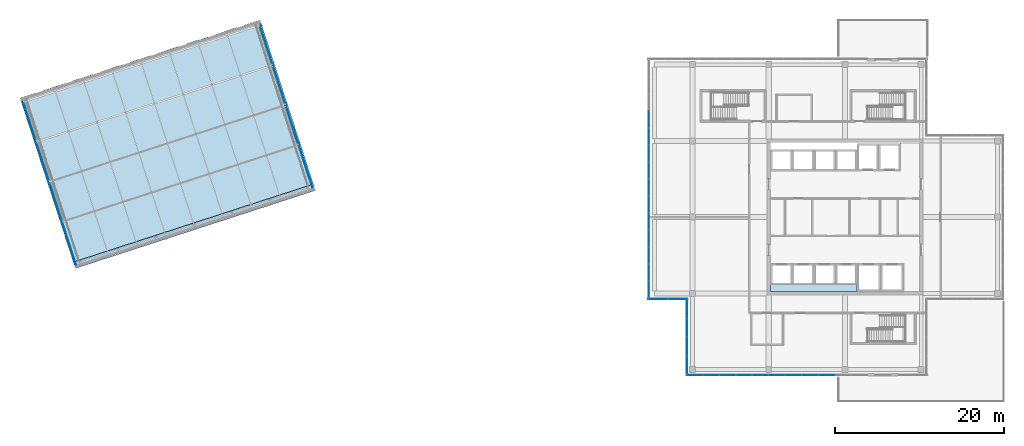
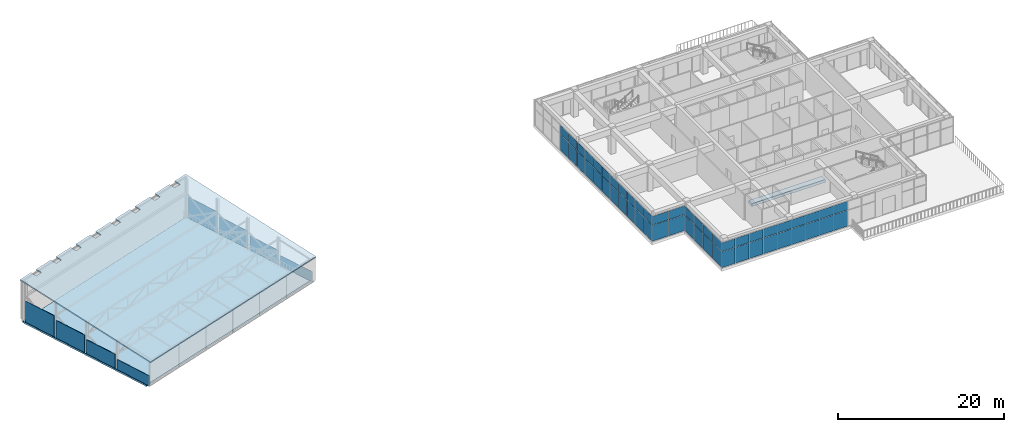
# One storey, part 36 of 49: 60 plates, 3 slabs, 4 elements without a shape of their own.
"""IFC4 building model written with IfcOpenShell, lengths in metres."""

from ifc_helpers import new_model, si_unit, direction, frame, origin, origin_2d, place, context, subcontext, project, spatial, polyline, rectangle, outline, extrude, material, layer, layer_set, type_object, element, aggregate, save


model = new_model("IFC4")

# Units and contexts
model_context = context("Model", 3, precision=1e-05, world=origin(), true_north=direction((0.0, 1.0)))
body_context = subcontext(model_context, "Body", "Model", "MODEL_VIEW")
ifc_project = project(units=[si_unit("LENGTHUNIT", "METRE"), si_unit("AREAUNIT", "SQUARE_METRE"), si_unit("VOLUMEUNIT", "CUBIC_METRE"), si_unit("PLANEANGLEUNIT", "RADIAN"), si_unit("MASSUNIT", "GRAM", prefix="KILO")], contexts=[model_context])

# Site, building, storey
site_placement = place(None, origin())
site = spatial("IfcSite", under=ifc_project, at=site_placement, CompositionType="ELEMENT")
building_placement = place(site_placement, origin())
building = spatial("IfcBuilding", under=site, at=building_placement, Name="Tuart Plaza Theatre", CompositionType="ELEMENT")
storey_placement = place(building_placement, frame((0.0, 0.0, 29.5)))
storey = spatial("IfcBuildingStorey", under=building, at=storey_placement, Name="L07", CompositionType="ELEMENT", Elevation=29.5)

# Curtain wall, plates
ifc_material_1 = material(Name="Aluminium and glass", Category="aluminium")
ifc_layer_1 = layer(ifc_material_1, 0.10009765625)
ifc_layer_set_1 = layer_set([ifc_layer_1], Name="CURTAIN WALL 2000 module")
curtain_wall_type = type_object("IfcCurtainWallType", Name="CURTAIN WALL 2000 module", PredefinedType="NOTDEFINED", material=ifc_layer_set_1)
curtain_wall_1_placement = place(storey_placement, origin())
curtain_wall_1 = element("IfcCurtainWall", 1, at=curtain_wall_1_placement, inside=storey, type_object=curtain_wall_type, Name="CW88", PredefinedType="NOTDEFINED")
ifc_material_2 = material(Name="Glass", Category="glass")
ifc_layer_2 = layer(ifc_material_2, 0.028076171875)
ifc_layer_set_2 = layer_set([ifc_layer_2], Name="CURTAIN PANEL double glazed 28")
plate_type_1 = type_object("IfcPlateType", Name="CURTAIN PANEL double glazed 28", PredefinedType="CURTAIN_PANEL", material=ifc_layer_set_2)
plate_1_placement = place(storey_placement, frame((114.237548828125, 55.35009765625, 0.0498046875), z_axis=(0.0, 0.0, 1.0), x_axis=(1.0, 0.0, 0.0)))
plate_1 = element("IfcPlate", 2, at=plate_1_placement, type_object=plate_type_1, Name="CW88 panel 1.1", PredefinedType="CURTAIN_PANEL", context=body_context, shape_type="SweptSolid", body=[
    extrude(rectangle(XDim=1.875, YDim=0.028076171875, at=origin_2d()), origin(), (0.0, 0.0, 1.0), 2.324951171875),
])
plate_2_placement = place(storey_placement, frame((114.237548828125, 55.35009765625, 2.425048828125), z_axis=(0.0, 0.0, 1.0), x_axis=(1.0, 0.0, 0.0)))
plate_2 = element("IfcPlate", 3, at=plate_2_placement, type_object=plate_type_1, Name="CW88 panel 1.2", PredefinedType="CURTAIN_PANEL", context=body_context, shape_type="SweptSolid", body=[
    extrude(rectangle(XDim=1.875, YDim=0.028076171875, at=origin_2d()), origin(), (0.0, 0.0, 1.0), 1.27490234375),
])
plate_3_placement = place(storey_placement, frame((116.175048828125, 55.35009765625, 0.0498046875), z_axis=(0.0, 0.0, 1.0), x_axis=(1.0, 0.0, 0.0)))
plate_3 = element("IfcPlate", 4, at=plate_3_placement, type_object=plate_type_1, Name="CW88 panel 2.1", PredefinedType="CURTAIN_PANEL", context=body_context, shape_type="SweptSolid", body=[
    extrude(rectangle(XDim=1.89990234375, YDim=0.028076171875, at=origin_2d()), origin(), (0.0, 0.0, 1.0), 2.324951171875),
])
plate_4_placement = place(storey_placement, frame((116.175048828125, 55.35009765625, 2.425048828125), z_axis=(0.0, 0.0, 1.0), x_axis=(1.0, 0.0, 0.0)))
plate_4 = element("IfcPlate", 5, at=plate_4_placement, type_object=plate_type_1, Name="CW88 panel 2.2", PredefinedType="CURTAIN_PANEL", context=body_context, shape_type="SweptSolid", body=[
    extrude(rectangle(XDim=1.89990234375, YDim=0.028076171875, at=origin_2d()), origin(), (0.0, 0.0, 1.0), 1.27490234375),
])
plate_5_placement = place(storey_placement, frame((118.125, 55.35009765625, 0.0498046875), z_axis=(0.0, 0.0, 1.0), x_axis=(1.0, 0.0, 0.0)))
plate_5 = element("IfcPlate", 6, at=plate_5_placement, type_object=plate_type_1, Name="CW88 panel 3.1", PredefinedType="CURTAIN_PANEL", context=body_context, shape_type="SweptSolid", body=[
    extrude(rectangle(XDim=1.89990234375, YDim=0.028076171875, at=origin_2d()), origin(), (0.0, 0.0, 1.0), 2.324951171875),
])
plate_6_placement = place(storey_placement, frame((118.125, 55.35009765625, 2.425048828125), z_axis=(0.0, 0.0, 1.0), x_axis=(1.0, 0.0, 0.0)))
plate_6 = element("IfcPlate", 7, at=plate_6_placement, type_object=plate_type_1, Name="CW88 panel 3.2", PredefinedType="CURTAIN_PANEL", context=body_context, shape_type="SweptSolid", body=[
    extrude(rectangle(XDim=1.89990234375, YDim=0.028076171875, at=origin_2d()), origin(), (0.0, 0.0, 1.0), 1.27490234375),
])
plate_7_placement = place(storey_placement, frame((120.074951171875, 55.35009765625, 0.0498046875), z_axis=(0.0, 0.0, 1.0), x_axis=(1.0, 0.0, 0.0)))
plate_7 = element("IfcPlate", 8, at=plate_7_placement, type_object=plate_type_1, Name="CW88 panel 4.1", PredefinedType="CURTAIN_PANEL", context=body_context, shape_type="SweptSolid", body=[
    extrude(rectangle(XDim=1.89990234375, YDim=0.028076171875, at=origin_2d()), origin(), (0.0, 0.0, 1.0), 2.324951171875),
])
plate_8_placement = place(storey_placement, frame((120.074951171875, 55.35009765625, 2.425048828125), z_axis=(0.0, 0.0, 1.0), x_axis=(1.0, 0.0, 0.0)))
plate_8 = element("IfcPlate", 9, at=plate_8_placement, type_object=plate_type_1, Name="CW88 panel 4.2", PredefinedType="CURTAIN_PANEL", context=body_context, shape_type="SweptSolid", body=[
    extrude(rectangle(XDim=1.89990234375, YDim=0.028076171875, at=origin_2d()), origin(), (0.0, 0.0, 1.0), 1.27490234375),
])
plate_9_placement = place(storey_placement, frame((122.02490234375, 55.35009765625, 0.0498046875), z_axis=(0.0, 0.0, 1.0), x_axis=(1.0, 0.0, 0.0)))
plate_9 = element("IfcPlate", 10, at=plate_9_placement, type_object=plate_type_1, Name="CW88 panel 5.1", PredefinedType="CURTAIN_PANEL", context=body_context, shape_type="SweptSolid", body=[
    extrude(rectangle(XDim=1.89990234375, YDim=0.028076171875, at=origin_2d()), origin(), (0.0, 0.0, 1.0), 2.324951171875),
])
plate_10_placement = place(storey_placement, frame((122.02490234375, 55.35009765625, 2.425048828125), z_axis=(0.0, 0.0, 1.0), x_axis=(1.0, 0.0, 0.0)))
plate_10 = element("IfcPlate", 11, at=plate_10_placement, type_object=plate_type_1, Name="CW88 panel 5.2", PredefinedType="CURTAIN_PANEL", context=body_context, shape_type="SweptSolid", body=[
    extrude(rectangle(XDim=1.89990234375, YDim=0.028076171875, at=origin_2d()), origin(), (0.0, 0.0, 1.0), 1.27490234375),
])
plate_11_placement = place(storey_placement, frame((123.97509765625, 55.35009765625, 0.0498046875), z_axis=(0.0, 0.0, 1.0), x_axis=(1.0, 0.0, 0.0)))
plate_11 = element("IfcPlate", 12, at=plate_11_placement, type_object=plate_type_1, Name="CW88 panel 6.1", PredefinedType="CURTAIN_PANEL", context=body_context, shape_type="SweptSolid", body=[
    extrude(rectangle(XDim=1.89990234375, YDim=0.028076171875, at=origin_2d()), origin(), (0.0, 0.0, 1.0), 2.324951171875),
])
plate_12_placement = place(storey_placement, frame((123.97509765625, 55.35009765625, 2.425048828125), z_axis=(0.0, 0.0, 1.0), x_axis=(1.0, 0.0, 0.0)))
plate_12 = element("IfcPlate", 13, at=plate_12_placement, type_object=plate_type_1, Name="CW88 panel 6.2", PredefinedType="CURTAIN_PANEL", context=body_context, shape_type="SweptSolid", body=[
    extrude(rectangle(XDim=1.89990234375, YDim=0.028076171875, at=origin_2d()), origin(), (0.0, 0.0, 1.0), 1.27490234375),
])
plate_13_placement = place(storey_placement, frame((125.925048828125, 55.35009765625, 0.0498046875), z_axis=(0.0, 0.0, 1.0), x_axis=(1.0, 0.0, 0.0)))
plate_13 = element("IfcPlate", 14, at=plate_13_placement, type_object=plate_type_1, Name="CW88 panel 7.1", PredefinedType="CURTAIN_PANEL", context=body_context, shape_type="SweptSolid", body=[
    extrude(rectangle(XDim=1.89990234375, YDim=0.028076171875, at=origin_2d()), origin(), (0.0, 0.0, 1.0), 2.324951171875),
])
plate_14_placement = place(storey_placement, frame((125.925048828125, 55.35009765625, 2.425048828125), z_axis=(0.0, 0.0, 1.0), x_axis=(1.0, 0.0, 0.0)))
plate_14 = element("IfcPlate", 15, at=plate_14_placement, type_object=plate_type_1, Name="CW88 panel 7.2", PredefinedType="CURTAIN_PANEL", context=body_context, shape_type="SweptSolid", body=[
    extrude(rectangle(XDim=1.89990234375, YDim=0.028076171875, at=origin_2d()), origin(), (0.0, 0.0, 1.0), 1.27490234375),
])
plate_15_placement = place(storey_placement, frame((127.875, 55.35009765625, 0.0498046875), z_axis=(0.0, 0.0, 1.0), x_axis=(1.0, 0.0, 0.0)))
plate_15 = element("IfcPlate", 16, at=plate_15_placement, type_object=plate_type_1, Name="CW88 panel 8.1", PredefinedType="CURTAIN_PANEL", context=body_context, shape_type="SweptSolid", body=[
    extrude(rectangle(XDim=1.89990234375, YDim=0.028076171875, at=origin_2d()), origin(), (0.0, 0.0, 1.0), 2.324951171875),
])
plate_16_placement = place(storey_placement, frame((127.875, 55.35009765625, 2.425048828125), z_axis=(0.0, 0.0, 1.0), x_axis=(1.0, 0.0, 0.0)))
plate_16 = element("IfcPlate", 17, at=plate_16_placement, type_object=plate_type_1, Name="CW88 panel 8.2", PredefinedType="CURTAIN_PANEL", context=body_context, shape_type="SweptSolid", body=[
    extrude(rectangle(XDim=1.89990234375, YDim=0.028076171875, at=origin_2d()), origin(), (0.0, 0.0, 1.0), 1.27490234375),
])
plate_17_placement = place(storey_placement, frame((129.824951171875, 55.35009765625, 0.0498046875), z_axis=(0.0, 0.0, 1.0), x_axis=(1.0, 0.0, 0.0)))
plate_17 = element("IfcPlate", 18, at=plate_17_placement, type_object=plate_type_1, Name="CW88 panel 9.1", PredefinedType="CURTAIN_PANEL", context=body_context, shape_type="SweptSolid", body=[
    extrude(rectangle(XDim=1.89990234375, YDim=0.028076171875, at=origin_2d()), origin(), (0.0, 0.0, 1.0), 2.324951171875),
])
plate_18_placement = place(storey_placement, frame((129.824951171875, 55.35009765625, 2.425048828125), z_axis=(0.0, 0.0, 1.0), x_axis=(1.0, 0.0, 0.0)))
plate_18 = element("IfcPlate", 19, at=plate_18_placement, type_object=plate_type_1, Name="CW88 panel 9.2", PredefinedType="CURTAIN_PANEL", context=body_context, shape_type="SweptSolid", body=[
    extrude(rectangle(XDim=1.89990234375, YDim=0.028076171875, at=origin_2d()), origin(), (0.0, 0.0, 1.0), 1.27490234375),
])
aggregate(curtain_wall_1, [plate_1, plate_2, plate_3, plate_4, plate_5, plate_6, plate_7, plate_8, plate_9, plate_10, plate_11, plate_12, plate_13, plate_14, plate_15, plate_16, plate_17, plate_18])

curtain_wall_2_placement = place(storey_placement, origin())
curtain_wall_2 = element("IfcCurtainWall", 20, at=curtain_wall_2_placement, inside=storey, type_object=curtain_wall_type, Name="CW97", PredefinedType="NOTDEFINED")
plate_19_placement = place(storey_placement, frame((108.85009765625, 85.52490234375, 0.0498046875), z_axis=(0.0, 0.0, 1.0), x_axis=(0.0, -1.0, 0.0)))
plate_19 = element("IfcPlate", 21, at=plate_19_placement, type_object=plate_type_1, Name="CW97 panel 4.1", PredefinedType="CURTAIN_PANEL", context=body_context, shape_type="SweptSolid", body=[
    extrude(rectangle(XDim=1.95703125, YDim=0.028076171875, at=origin_2d()), origin(), (0.0, 0.0, 1.0), 2.324951171875),
])
plate_20_placement = place(storey_placement, frame((108.85009765625, 85.52490234375, 2.425048828125), z_axis=(0.0, 0.0, 1.0), x_axis=(0.0, -1.0, 0.0)))
plate_20 = element("IfcPlate", 22, at=plate_20_placement, type_object=plate_type_1, Name="CW97 panel 4.2", PredefinedType="CURTAIN_PANEL", context=body_context, shape_type="SweptSolid", body=[
    extrude(rectangle(XDim=1.95703125, YDim=0.028076171875, at=origin_2d()), origin(), (0.0, 0.0, 1.0), 1.27490234375),
])
plate_21_placement = place(storey_placement, frame((108.85009765625, 83.517822265625, 0.0498046875), z_axis=(0.0, 0.0, 1.0), x_axis=(0.0, -1.0, 0.0)))
plate_21 = element("IfcPlate", 23, at=plate_21_placement, type_object=plate_type_1, Name="CW97 panel 5.1", PredefinedType="CURTAIN_PANEL", context=body_context, shape_type="SweptSolid", body=[
    extrude(rectangle(XDim=1.95703125, YDim=0.028076171875, at=origin_2d()), origin(), (0.0, 0.0, 1.0), 2.324951171875),
])
plate_22_placement = place(storey_placement, frame((108.85009765625, 83.517822265625, 2.425048828125), z_axis=(0.0, 0.0, 1.0), x_axis=(0.0, -1.0, 0.0)))
plate_22 = element("IfcPlate", 24, at=plate_22_placement, type_object=plate_type_1, Name="CW97 panel 5.2", PredefinedType="CURTAIN_PANEL", context=body_context, shape_type="SweptSolid", body=[
    extrude(rectangle(XDim=1.95703125, YDim=0.028076171875, at=origin_2d()), origin(), (0.0, 0.0, 1.0), 1.27490234375),
])
plate_23_placement = place(storey_placement, frame((108.85009765625, 81.5107421875, 0.0498046875), z_axis=(0.0, 0.0, 1.0), x_axis=(0.0, -1.0, 0.0)))
plate_23 = element("IfcPlate", 25, at=plate_23_placement, type_object=plate_type_1, Name="CW97 panel 6.1", PredefinedType="CURTAIN_PANEL", context=body_context, shape_type="SweptSolid", body=[
    extrude(rectangle(XDim=1.95703125, YDim=0.028076171875, at=origin_2d()), origin(), (0.0, 0.0, 1.0), 2.324951171875),
])
plate_24_placement = place(storey_placement, frame((108.85009765625, 81.5107421875, 2.425048828125), z_axis=(0.0, 0.0, 1.0), x_axis=(0.0, -1.0, 0.0)))
plate_24 = element("IfcPlate", 26, at=plate_24_placement, type_object=plate_type_1, Name="CW97 panel 6.2", PredefinedType="CURTAIN_PANEL", context=body_context, shape_type="SweptSolid", body=[
    extrude(rectangle(XDim=1.95703125, YDim=0.028076171875, at=origin_2d()), origin(), (0.0, 0.0, 1.0), 1.27490234375),
])
plate_25_placement = place(storey_placement, frame((108.85009765625, 79.503662109375, 0.0498046875), z_axis=(0.0, 0.0, 1.0), x_axis=(0.0, -1.0, 0.0)))
plate_25 = element("IfcPlate", 27, at=plate_25_placement, type_object=plate_type_1, Name="CW97 panel 7.1", PredefinedType="CURTAIN_PANEL", context=body_context, shape_type="SweptSolid", body=[
    extrude(rectangle(XDim=1.95703125, YDim=0.028076171875, at=origin_2d()), origin(), (0.0, 0.0, 1.0), 2.324951171875),
])
plate_26_placement = place(storey_placement, frame((108.85009765625, 79.503662109375, 2.425048828125), z_axis=(0.0, 0.0, 1.0), x_axis=(0.0, -1.0, 0.0)))
plate_26 = element("IfcPlate", 28, at=plate_26_placement, type_object=plate_type_1, Name="CW97 panel 7.2", PredefinedType="CURTAIN_PANEL", context=body_context, shape_type="SweptSolid", body=[
    extrude(rectangle(XDim=1.95703125, YDim=0.028076171875, at=origin_2d()), origin(), (0.0, 0.0, 1.0), 1.27490234375),
])
plate_27_placement = place(storey_placement, frame((108.85009765625, 77.496337890625, 0.0498046875), z_axis=(0.0, 0.0, 1.0), x_axis=(0.0, -1.0, 0.0)))
plate_27 = element("IfcPlate", 29, at=plate_27_placement, type_object=plate_type_1, Name="CW97 panel 8.1", PredefinedType="CURTAIN_PANEL", context=body_context, shape_type="SweptSolid", body=[
    extrude(rectangle(XDim=1.95703125, YDim=0.028076171875, at=origin_2d()), origin(), (0.0, 0.0, 1.0), 2.324951171875),
])
plate_28_placement = place(storey_placement, frame((108.85009765625, 77.496337890625, 2.425048828125), z_axis=(0.0, 0.0, 1.0), x_axis=(0.0, -1.0, 0.0)))
plate_28 = element("IfcPlate", 30, at=plate_28_placement, type_object=plate_type_1, Name="CW97 panel 8.2", PredefinedType="CURTAIN_PANEL", context=body_context, shape_type="SweptSolid", body=[
    extrude(rectangle(XDim=1.95703125, YDim=0.028076171875, at=origin_2d()), origin(), (0.0, 0.0, 1.0), 1.27490234375),
])
plate_29_placement = place(storey_placement, frame((108.85009765625, 75.4892578125, 0.0498046875), z_axis=(0.0, 0.0, 1.0), x_axis=(0.0, -1.0, 0.0)))
plate_29 = element("IfcPlate", 31, at=plate_29_placement, type_object=plate_type_1, Name="CW97 panel 9.1", PredefinedType="CURTAIN_PANEL", context=body_context, shape_type="SweptSolid", body=[
    extrude(rectangle(XDim=1.95703125, YDim=0.028076171875, at=origin_2d()), origin(), (0.0, 0.0, 1.0), 2.324951171875),
])
plate_30_placement = place(storey_placement, frame((108.85009765625, 75.4892578125, 2.425048828125), z_axis=(0.0, 0.0, 1.0), x_axis=(0.0, -1.0, 0.0)))
plate_30 = element("IfcPlate", 32, at=plate_30_placement, type_object=plate_type_1, Name="CW97 panel 9.2", PredefinedType="CURTAIN_PANEL", context=body_context, shape_type="SweptSolid", body=[
    extrude(rectangle(XDim=1.95703125, YDim=0.028076171875, at=origin_2d()), origin(), (0.0, 0.0, 1.0), 1.27490234375),
])
plate_31_placement = place(storey_placement, frame((108.85009765625, 73.482177734375, 0.0498046875), z_axis=(0.0, 0.0, 1.0), x_axis=(0.0, -1.0, 0.0)))
plate_31 = element("IfcPlate", 33, at=plate_31_placement, type_object=plate_type_1, Name="CW97 panel 10.1", PredefinedType="CURTAIN_PANEL", context=body_context, shape_type="SweptSolid", body=[
    extrude(rectangle(XDim=1.95703125, YDim=0.028076171875, at=origin_2d()), origin(), (0.0, 0.0, 1.0), 2.324951171875),
])
plate_32_placement = place(storey_placement, frame((108.85009765625, 73.482177734375, 2.425048828125), z_axis=(0.0, 0.0, 1.0), x_axis=(0.0, -1.0, 0.0)))
plate_32 = element("IfcPlate", 34, at=plate_32_placement, type_object=plate_type_1, Name="CW97 panel 10.2", PredefinedType="CURTAIN_PANEL", context=body_context, shape_type="SweptSolid", body=[
    extrude(rectangle(XDim=1.95703125, YDim=0.028076171875, at=origin_2d()), origin(), (0.0, 0.0, 1.0), 1.27490234375),
])
plate_33_placement = place(storey_placement, frame((108.85009765625, 71.47509765625, 0.0498046875), z_axis=(0.0, 0.0, 1.0), x_axis=(0.0, -1.0, 0.0)))
plate_33 = element("IfcPlate", 35, at=plate_33_placement, type_object=plate_type_1, Name="CW97 panel 11.1", PredefinedType="CURTAIN_PANEL", context=body_context, shape_type="SweptSolid", body=[
    extrude(rectangle(XDim=1.95703125, YDim=0.028076171875, at=origin_2d()), origin(), (0.0, 0.0, 1.0), 2.324951171875),
])
plate_34_placement = place(storey_placement, frame((108.85009765625, 71.47509765625, 2.425048828125), z_axis=(0.0, 0.0, 1.0), x_axis=(0.0, -1.0, 0.0)))
plate_34 = element("IfcPlate", 36, at=plate_34_placement, type_object=plate_type_1, Name="CW97 panel 11.2", PredefinedType="CURTAIN_PANEL", context=body_context, shape_type="SweptSolid", body=[
    extrude(rectangle(XDim=1.95703125, YDim=0.028076171875, at=origin_2d()), origin(), (0.0, 0.0, 1.0), 1.27490234375),
])
plate_35_placement = place(storey_placement, frame((108.85009765625, 69.4677734375, 0.0498046875), z_axis=(0.0, 0.0, 1.0), x_axis=(0.0, -1.0, 0.0)))
plate_35 = element("IfcPlate", 37, at=plate_35_placement, type_object=plate_type_1, Name="CW97 panel 12.1", PredefinedType="CURTAIN_PANEL", context=body_context, shape_type="SweptSolid", body=[
    extrude(rectangle(XDim=1.95703125, YDim=0.028076171875, at=origin_2d()), origin(), (0.0, 0.0, 1.0), 2.324951171875),
])
plate_36_placement = place(storey_placement, frame((108.85009765625, 69.4677734375, 2.425048828125), z_axis=(0.0, 0.0, 1.0), x_axis=(0.0, -1.0, 0.0)))
plate_36 = element("IfcPlate", 38, at=plate_36_placement, type_object=plate_type_1, Name="CW97 panel 12.2", PredefinedType="CURTAIN_PANEL", context=body_context, shape_type="SweptSolid", body=[
    extrude(rectangle(XDim=1.95703125, YDim=0.028076171875, at=origin_2d()), origin(), (0.0, 0.0, 1.0), 1.27490234375),
])
plate_37_placement = place(storey_placement, frame((108.85009765625, 67.460693359375, 0.0498046875), z_axis=(0.0, 0.0, 1.0), x_axis=(0.0, -1.0, 0.0)))
plate_37 = element("IfcPlate", 39, at=plate_37_placement, type_object=plate_type_1, Name="CW97 panel 13.1", PredefinedType="CURTAIN_PANEL", context=body_context, shape_type="SweptSolid", body=[
    extrude(rectangle(XDim=1.95703125, YDim=0.028076171875, at=origin_2d()), origin(), (0.0, 0.0, 1.0), 2.324951171875),
])
plate_38_placement = place(storey_placement, frame((108.85009765625, 67.460693359375, 2.425048828125), z_axis=(0.0, 0.0, 1.0), x_axis=(0.0, -1.0, 0.0)))
plate_38 = element("IfcPlate", 40, at=plate_38_placement, type_object=plate_type_1, Name="CW97 panel 13.2", PredefinedType="CURTAIN_PANEL", context=body_context, shape_type="SweptSolid", body=[
    extrude(rectangle(XDim=1.95703125, YDim=0.028076171875, at=origin_2d()), origin(), (0.0, 0.0, 1.0), 1.27490234375),
])
plate_39_placement = place(storey_placement, frame((108.85009765625, 65.466064453125, 0.0498046875), z_axis=(0.0, 0.0, 1.0), x_axis=(0.0, -1.0, 0.0)))
plate_39 = element("IfcPlate", 41, at=plate_39_placement, type_object=plate_type_1, Name="CW97 panel 14.1", PredefinedType="CURTAIN_PANEL", context=body_context, shape_type="SweptSolid", body=[
    extrude(rectangle(XDim=1.93212890625, YDim=0.028076171875, at=origin_2d()), origin(), (0.0, 0.0, 1.0), 2.324951171875),
])
plate_40_placement = place(storey_placement, frame((108.85009765625, 65.466064453125, 2.425048828125), z_axis=(0.0, 0.0, 1.0), x_axis=(0.0, -1.0, 0.0)))
plate_40 = element("IfcPlate", 42, at=plate_40_placement, type_object=plate_type_1, Name="CW97 panel 14.2", PredefinedType="CURTAIN_PANEL", context=body_context, shape_type="SweptSolid", body=[
    extrude(rectangle(XDim=1.93212890625, YDim=0.028076171875, at=origin_2d()), origin(), (0.0, 0.0, 1.0), 1.27490234375),
])
aggregate(curtain_wall_2, [plate_19, plate_20, plate_21, plate_22, plate_23, plate_24, plate_25, plate_26, plate_27, plate_28, plate_29, plate_30, plate_31, plate_32, plate_33, plate_34, plate_35, plate_36, plate_37, plate_38, plate_39, plate_40])

curtain_wall_3_placement = place(storey_placement, origin())
curtain_wall_3 = element("IfcCurtainWall", 43, at=curtain_wall_3_placement, inside=storey, type_object=curtain_wall_type, Name="CW98", PredefinedType="NOTDEFINED")
plate_41_placement = place(storey_placement, frame((109.9375, 64.35009765625, 0.0498046875), z_axis=(0.0, 0.0, 1.0), x_axis=(1.0, 0.0, 0.0)))
plate_41 = element("IfcPlate", 44, at=plate_41_placement, type_object=plate_type_1, Name="CW98 panel 1.1", PredefinedType="CURTAIN_PANEL", context=body_context, shape_type="SweptSolid", body=[
    extrude(rectangle(XDim=2.27490234375, YDim=0.028076171875, at=origin_2d()), origin(), (0.0, 0.0, 1.0), 2.324951171875),
])
plate_42_placement = place(storey_placement, frame((109.9375, 64.35009765625, 2.425048828125), z_axis=(0.0, 0.0, 1.0), x_axis=(1.0, 0.0, 0.0)))
plate_42 = element("IfcPlate", 45, at=plate_42_placement, type_object=plate_type_1, Name="CW98 panel 1.2", PredefinedType="CURTAIN_PANEL", context=body_context, shape_type="SweptSolid", body=[
    extrude(rectangle(XDim=2.27490234375, YDim=0.028076171875, at=origin_2d()), origin(), (0.0, 0.0, 1.0), 1.27490234375),
])
plate_43_placement = place(storey_placement, frame((112.262451171875, 64.35009765625, 0.0498046875), z_axis=(0.0, 0.0, 1.0), x_axis=(1.0, 0.0, 0.0)))
plate_43 = element("IfcPlate", 46, at=plate_43_placement, type_object=plate_type_1, Name="CW98 panel 2.1", PredefinedType="CURTAIN_PANEL", context=body_context, shape_type="SweptSolid", body=[
    extrude(rectangle(XDim=2.27490234375, YDim=0.028076171875, at=origin_2d()), origin(), (0.0, 0.0, 1.0), 2.324951171875),
])
plate_44_placement = place(storey_placement, frame((112.262451171875, 64.35009765625, 2.425048828125), z_axis=(0.0, 0.0, 1.0), x_axis=(1.0, 0.0, 0.0)))
plate_44 = element("IfcPlate", 47, at=plate_44_placement, type_object=plate_type_1, Name="CW98 panel 2.2", PredefinedType="CURTAIN_PANEL", context=body_context, shape_type="SweptSolid", body=[
    extrude(rectangle(XDim=2.27490234375, YDim=0.028076171875, at=origin_2d()), origin(), (0.0, 0.0, 1.0), 1.27490234375),
])
aggregate(curtain_wall_3, [plate_41, plate_42, plate_43, plate_44])

curtain_wall_4_placement = place(storey_placement, origin())
curtain_wall_4 = element("IfcCurtainWall", 48, at=curtain_wall_4_placement, inside=storey, type_object=curtain_wall_type, Name="CW99", PredefinedType="NOTDEFINED")
plate_45_placement = place(storey_placement, frame((113.35009765625, 63.137451171875, 0.0498046875), z_axis=(0.0, 0.0, 1.0), x_axis=(0.0, -1.0, 0.0)))
plate_45 = element("IfcPlate", 49, at=plate_45_placement, type_object=plate_type_1, Name="CW99 panel 1.1", PredefinedType="CURTAIN_PANEL", context=body_context, shape_type="SweptSolid", body=[
    extrude(rectangle(XDim=2.125, YDim=0.028076171875, at=origin_2d()), origin(), (0.0, 0.0, 1.0), 2.324951171875),
])
plate_46_placement = place(storey_placement, frame((113.35009765625, 63.137451171875, 2.425048828125), z_axis=(0.0, 0.0, 1.0), x_axis=(0.0, -1.0, 0.0)))
plate_46 = element("IfcPlate", 50, at=plate_46_placement, type_object=plate_type_1, Name="CW99 panel 1.2", PredefinedType="CURTAIN_PANEL", context=body_context, shape_type="SweptSolid", body=[
    extrude(rectangle(XDim=2.125, YDim=0.028076171875, at=origin_2d()), origin(), (0.0, 0.0, 1.0), 1.27490234375),
])
plate_47_placement = place(storey_placement, frame((113.35009765625, 60.949951171875, 0.0498046875), z_axis=(0.0, 0.0, 1.0), x_axis=(0.0, -1.0, 0.0)))
plate_47 = element("IfcPlate", 51, at=plate_47_placement, type_object=plate_type_1, Name="CW99 panel 2.1", PredefinedType="CURTAIN_PANEL", context=body_context, shape_type="SweptSolid", body=[
    extrude(rectangle(XDim=2.14990234375, YDim=0.028076171875, at=origin_2d()), origin(), (0.0, 0.0, 1.0), 2.324951171875),
])
plate_48_placement = place(storey_placement, frame((113.35009765625, 60.949951171875, 2.425048828125), z_axis=(0.0, 0.0, 1.0), x_axis=(0.0, -1.0, 0.0)))
plate_48 = element("IfcPlate", 52, at=plate_48_placement, type_object=plate_type_1, Name="CW99 panel 2.2", PredefinedType="CURTAIN_PANEL", context=body_context, shape_type="SweptSolid", body=[
    extrude(rectangle(XDim=2.14990234375, YDim=0.028076171875, at=origin_2d()), origin(), (0.0, 0.0, 1.0), 1.27490234375),
])
plate_49_placement = place(storey_placement, frame((113.35009765625, 58.75, 0.0498046875), z_axis=(0.0, 0.0, 1.0), x_axis=(0.0, -1.0, 0.0)))
plate_49 = element("IfcPlate", 53, at=plate_49_placement, type_object=plate_type_1, Name="CW99 panel 3.1", PredefinedType="CURTAIN_PANEL", context=body_context, shape_type="SweptSolid", body=[
    extrude(rectangle(XDim=2.14990234375, YDim=0.028076171875, at=origin_2d()), origin(), (0.0, 0.0, 1.0), 2.324951171875),
])
plate_50_placement = place(storey_placement, frame((113.35009765625, 58.75, 2.425048828125), z_axis=(0.0, 0.0, 1.0), x_axis=(0.0, -1.0, 0.0)))
plate_50 = element("IfcPlate", 54, at=plate_50_placement, type_object=plate_type_1, Name="CW99 panel 3.2", PredefinedType="CURTAIN_PANEL", context=body_context, shape_type="SweptSolid", body=[
    extrude(rectangle(XDim=2.14990234375, YDim=0.028076171875, at=origin_2d()), origin(), (0.0, 0.0, 1.0), 1.27490234375),
])
plate_51_placement = place(storey_placement, frame((113.35009765625, 56.5625, 0.0498046875), z_axis=(0.0, 0.0, 1.0), x_axis=(0.0, -1.0, 0.0)))
plate_51 = element("IfcPlate", 55, at=plate_51_placement, type_object=plate_type_1, Name="CW99 panel 4.1", PredefinedType="CURTAIN_PANEL", context=body_context, shape_type="SweptSolid", body=[
    extrude(rectangle(XDim=2.125, YDim=0.028076171875, at=origin_2d()), origin(), (0.0, 0.0, 1.0), 2.324951171875),
])
plate_52_placement = place(storey_placement, frame((113.35009765625, 56.5625, 2.425048828125), z_axis=(0.0, 0.0, 1.0), x_axis=(0.0, -1.0, 0.0)))
plate_52 = element("IfcPlate", 56, at=plate_52_placement, type_object=plate_type_1, Name="CW99 panel 4.2", PredefinedType="CURTAIN_PANEL", context=body_context, shape_type="SweptSolid", body=[
    extrude(rectangle(XDim=2.125, YDim=0.028076171875, at=origin_2d()), origin(), (0.0, 0.0, 1.0), 1.27490234375),
])
aggregate(curtain_wall_4, [plate_45, plate_46, plate_47, plate_48, plate_49, plate_50, plate_51, plate_52])

# Plates
ifc_material_3 = material(Name="Steel perforated panel", Category="steel")
ifc_layer_3 = layer(ifc_material_3, 0.06005859375)
ifc_layer_set_3 = layer_set([ifc_layer_3], Name="PLATE Lantern louvre panel 60 Steel perforated panel")
plate_type_2 = type_object("IfcPlateType", Name="PLATE Lantern louvre panel 60 Steel perforated panel", PredefinedType="SHEET", material=ifc_layer_set_3)
plate_53_placement = place(storey_placement, origin())
element("IfcPlate", 57, at=plate_53_placement, inside=storey, type_object=plate_type_2, Name="CP1", PredefinedType="SHEET", context=body_context, shape_type="SweptSolid", body=[
    extrude(outline(polyline([(41.203857421875, 68.37255859375), (41.260986328125, 68.39111328125), (39.658447265625, 73.3232421875), (39.601318359375, 73.3046875), (41.203857421875, 68.37255859375)])), origin(), (0.0, 0.0, 1.0), 1.48779296875),
])
plate_54_placement = place(storey_placement, origin())
element("IfcPlate", 58, at=plate_54_placement, inside=storey, type_object=plate_type_2, Name="CP2", PredefinedType="SHEET", context=body_context, shape_type="SweptSolid", body=[
    extrude(outline(polyline([(39.5, 73.61669921875), (39.55712890625, 73.63525390625), (38.128662109375, 78.031005859375), (38.07177734375, 78.012451171875), (39.5, 73.61669921875)])), origin(), (0.0, 0.0, 1.0), 2.067138671875),
])
plate_55_placement = place(storey_placement, origin())
element("IfcPlate", 59, at=plate_55_placement, inside=storey, type_object=plate_type_2, Name="CP3", PredefinedType="SHEET", context=body_context, shape_type="SweptSolid", body=[
    extrude(outline(polyline([(37.970458984375, 78.324462890625), (38.02734375, 78.343017578125), (36.59912109375, 82.73876953125), (36.5419921875, 82.72021484375), (37.970458984375, 78.324462890625)])), origin(), (0.0, 0.0, 1.0), 2.58740234375),
])
plate_56_placement = place(storey_placement, origin())
element("IfcPlate", 60, at=plate_56_placement, inside=storey, type_object=plate_type_2, Name="CP4", PredefinedType="SHEET", context=body_context, shape_type="SweptSolid", body=[
    extrude(outline(polyline([(36.440673828125, 83.0322265625), (36.497802734375, 83.05078125), (35.069580078125, 87.446533203125), (35.012451171875, 87.427978515625), (36.440673828125, 83.0322265625)])), origin(), (0.0, 0.0, 1.0), 3.107666015625),
])
plate_57_placement = place(storey_placement, origin())
element("IfcPlate", 61, at=plate_57_placement, inside=storey, type_object=plate_type_2, Name="CP5", PredefinedType="SHEET", context=body_context, shape_type="SweptSolid", body=[
    extrude(outline(polyline([(69.138427734375, 77.448974609375), (69.1953125, 77.467529296875), (67.5927734375, 82.39990234375), (67.535888671875, 82.38134765625), (69.138427734375, 77.448974609375)])), origin(), (0.0, 0.0, 1.0), 1.48779296875),
])
plate_58_placement = place(storey_placement, origin())
element("IfcPlate", 62, at=plate_58_placement, inside=storey, type_object=plate_type_2, Name="CP6", PredefinedType="SHEET", context=body_context, shape_type="SweptSolid", body=[
    extrude(outline(polyline([(67.434326171875, 82.693115234375), (67.491455078125, 82.711669921875), (66.063232421875, 87.107421875), (66.006103515625, 87.0888671875), (67.434326171875, 82.693115234375)])), origin(), (0.0, 0.0, 1.0), 2.067138671875),
])
plate_59_placement = place(storey_placement, origin())
element("IfcPlate", 63, at=plate_59_placement, inside=storey, type_object=plate_type_2, Name="CP7", PredefinedType="SHEET", context=body_context, shape_type="SweptSolid", body=[
    extrude(outline(polyline([(65.90478515625, 87.40087890625), (65.9619140625, 87.41943359375), (64.533447265625, 91.815185546875), (64.4765625, 91.796630859375), (65.90478515625, 87.40087890625)])), origin(), (0.0, 0.0, 1.0), 2.58740234375),
])
plate_60_placement = place(storey_placement, origin())
element("IfcPlate", 64, at=plate_60_placement, inside=storey, type_object=plate_type_2, Name="CP8", PredefinedType="SHEET", context=body_context, shape_type="SweptSolid", body=[
    extrude(outline(polyline([(64.375244140625, 92.108642578125), (64.43212890625, 92.127197265625), (63.00390625, 96.52294921875), (62.94677734375, 96.50439453125), (64.375244140625, 92.108642578125)])), origin(), (0.0, 0.0, 1.0), 3.107666015625),
])

# Slabs
ifc_material_4 = material(Name="Concrete N40 (40 MPa)", Category="concrete")
ifc_layer_4 = layer(ifc_material_4, 0.25)
ifc_layer_set_4 = layer_set([ifc_layer_4], Name="SLAB Floor 250 Concrete N40 (40 MPa)")
slab_type_1 = type_object("IfcSlabType", Name="SLAB Floor 250 Concrete N40 (40 MPa)", PredefinedType="FLOOR", material=ifc_layer_set_4)
slab_1_placement = place(storey_placement, frame((0.0, 0.0, -0.25)))
element("IfcSlab", 65, at=slab_1_placement, inside=storey, type_object=slab_type_1, Name="S63", PredefinedType="FLOOR", context=body_context, shape_type="SweptSolid", body=[
    extrude(outline(polyline([(69.113525390625, 77.861572265625), (62.914794921875, 96.93994140625), (34.839599609375, 87.817626953125), (41.038330078125, 68.739501953125), (69.113525390625, 77.861572265625)])), origin(), (0.0, 0.0, 1.0), 0.25),
])
ifc_material_5 = material(Name="Concrete N40 (40 MPa)", Category="concrete")
ifc_layer_5 = layer(ifc_material_5, 0.419921875)
ifc_layer_set_5 = layer_set([ifc_layer_5], Name="SLAB Floor 420 Concrete N40 (40 MPa)")
slab_type_2 = type_object("IfcSlabType", Name="SLAB Floor 420 Concrete N40 (40 MPa)", PredefinedType="FLOOR", material=ifc_layer_set_5)
slab_2_placement = place(storey_placement, frame((0.0, 0.0, -0.419921875)))
element("IfcSlab", 66, at=slab_2_placement, inside=storey, type_object=slab_type_2, Name="S93", PredefinedType="FLOOR", context=body_context, shape_type="SweptSolid", body=[
    extrude(outline(polyline([(123.22509765625, 66.02490234375), (123.22509765625, 65.22509765625), (133.425048828125, 65.22509765625), (133.425048828125, 66.02490234375), (123.22509765625, 66.02490234375)])), origin(), (0.0, 0.0, 1.0), 0.419921875),
])
ifc_material_6 = material(Name="Zinc")
ifc_layer_6 = layer(ifc_material_6, 0.179931640625)
ifc_layer_set_6 = layer_set([ifc_layer_6], Name="SLAB Roof Zinc 180")
slab_type_3 = type_object("IfcSlabType", Name="SLAB Roof Zinc 180", PredefinedType="ROOF", material=ifc_layer_set_6)
slab_3_placement = place(storey_placement, frame((41.1494140625, 67.94482421875, 3.81689453125), z_axis=(0.032300904869, -0.09941320112, 0.994521828311), x_axis=(0.951056416192, 0.30901730246, 4.18708e-07)))
element("IfcSlab", 67, at=slab_3_placement, inside=storey, type_object=slab_type_3, Name="SR9", PredefinedType="ROOF", context=body_context, shape_type="SweptSolid", body=[
    extrude(outline(polyline([(0.0, 0.0), (29.800075639155658, 0.0), (29.79995847632901, 21.25637234589253), (27.833899848366165, 21.25650236953342), (27.833943857675518, 20.40185488919835), (26.8938805798379, 20.401821964065572), (26.893836570528546, 21.25646944440064), (24.272839153808903, 21.25633880212054), (24.272883163118255, 20.40169132178547), (23.33281988528064, 20.401658396652696), (23.33285131964864, 21.256536796507373), (20.711621711421138, 21.25648118462138), (20.71166572073049, 20.40183370428631), (19.77160244289287, 20.401800779153536), (19.771790625091377, 21.256373229094496), (17.15063646054123, 21.25654853672811), (17.150605026173228, 20.401670136873435), (16.210617192012965, 20.40186813126027), (16.210573182703612, 21.256515611595336), (13.589343574476109, 21.256459999709335), (13.58938758378546, 20.40181251937427), (12.6495564974557, 20.40170456384739), (12.64951248814635, 21.256352044182456), (10.028358323596203, 21.25652735181607), (10.028402332905554, 20.401879871481007), (9.088339055067935, 20.40184694634823), (9.088295045758583, 21.256494426683297), (6.467297629038939, 21.256363784403195), (6.46710944684043, 20.401791334462235), (5.527278360510671, 20.401683378935353), (5.527309794878678, 21.256561778790033), (2.906080186651173, 21.256506166904035), (2.9061241959605244, 20.40185868656897), (1.9660609181229052, 20.401825761436193), (1.9660169088135537, 21.25647324177126), (-4.1719149290151935e-05, 21.256603265412142), (0.0, 0.0)])), origin(), (0.0, 0.0, -1.0), 0.179931640625),
])

save(model, "model.ifc")
